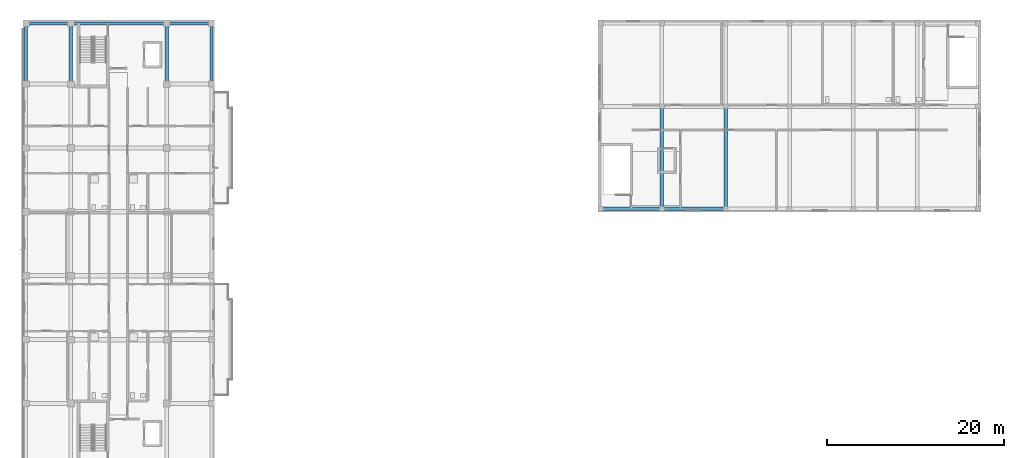
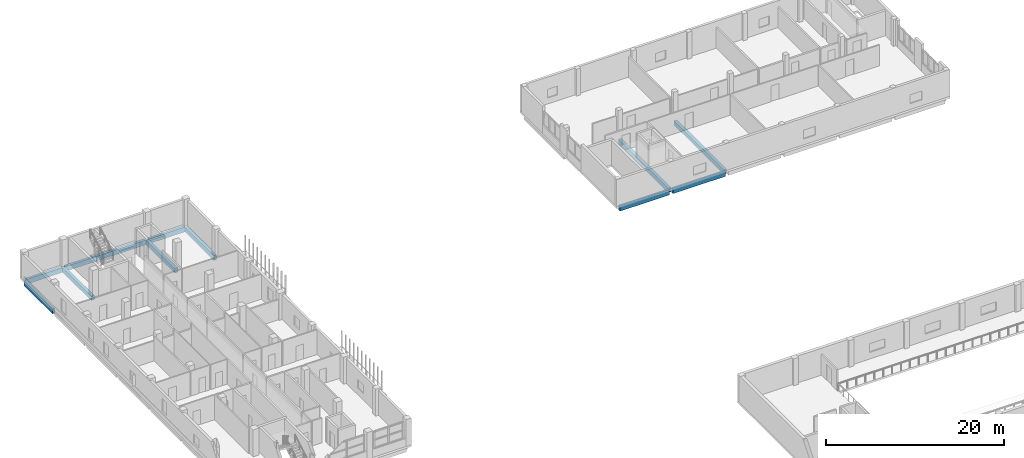
# One storey, part 19 of 73: 11 beams.
"""IFC4 building model written with IfcOpenShell, lengths in metres."""

from ifc_helpers import new_model, si_unit, derived_unit, direction, frame, origin, origin_2d, place, context, subcontext, project, spatial, rectangle, extrude, material, material_profile, profile_set, type_object, element, save


model = new_model("IFC4")

# Units and contexts
model_context = context("Model", 3, precision=1e-05, world=origin(), true_north=direction((0.0, 1.0)))
body_context = subcontext(model_context, "Body", "Model", "MODEL_VIEW")
ifc_project = project(units=[si_unit("LENGTHUNIT", "METRE"), si_unit("AREAUNIT", "SQUARE_METRE"), si_unit("VOLUMEUNIT", "CUBIC_METRE"), si_unit("PLANEANGLEUNIT", "RADIAN"), si_unit("MASSUNIT", "GRAM", prefix="KILO"), derived_unit("THERMALTRANSMITTANCEUNIT", [(si_unit("MASSUNIT", "GRAM", prefix="KILO"), 1), (si_unit("TIMEUNIT", "SECOND"), -3), (si_unit("THERMODYNAMICTEMPERATUREUNIT", "KELVIN"), -1)])], contexts=[model_context])

# Site, building, storey
site_placement = place(None, origin())
site = spatial("IfcSite", under=ifc_project, at=site_placement, CompositionType="ELEMENT")
building_placement = place(site_placement, origin())
building = spatial("IfcBuilding", under=site, at=building_placement, Name="Ochrekiln Boulevard Commons", CompositionType="ELEMENT")
storey_placement = place(building_placement, frame((0.0, 0.0, 4.89990234375)))
storey = spatial("IfcBuildingStorey", under=building, at=storey_placement, Name="L01", CompositionType="ELEMENT", Elevation=4.89990234375)

# Beams
ifc_material_1 = material(Name="Concrete C35/45", Category="concrete")
ifc_material_profile_1 = material_profile(ifc_material_1, rectangle(XDim=0.39990234375, YDim=0.60009765625, at=origin_2d()), Name="RC-BM-400x600")
ifc_profile_set_1 = profile_set([ifc_material_profile_1], Name="Concrete C35/45")
beam_type_1 = type_object("IfcBeamType", Name="BM-RC-400x600", PredefinedType="BEAM", material=ifc_profile_set_1)
for number, where, z_axis, x_axis, name in (
    (1, (5.39990234375, 111.81005859375, -0.559814453125), (0.0, 1.0, 0.0), (-1.0, 0.0, 0.0), "Block A L01 Beam B-4060 Y36"),
    (2, (16.199951171875, 111.81005859375, -0.559814453125), (0.0, 1.0, 0.0), (-1.0, 0.0, 0.0), "Block A L01 Beam B-4060 Y43"),
):
    element("IfcBeam", number, at=place(storey_placement, frame(where, z_axis=z_axis, x_axis=x_axis)), inside=storey, type_object=beam_type_1, Name=name, PredefinedType="BEAM", context=body_context, shape_type="SweptSolid", body=[
        extrude(rectangle(XDim=0.39990234375, YDim=0.60009765625, at=origin_2d()), origin(), (0.0, 0.0, 1.0), 6.429931640625),
    ])
for number, where, z_axis, x_axis, name in (
    (3, (72.0, 97.760009765625, -0.56982421875), (0.0, 1.0, 0.0), (-1.0, 0.0, 0.0), "Nursery Pavilion L01 Beam B-4060 Y20"),
    (4, (79.199951171875, 97.760009765625, -0.56982421875), (0.0, 1.0, 0.0), (-1.0, 0.0, 0.0), "Nursery Pavilion L01 Beam B-4060 Y22"),
):
    element("IfcBeam", number, at=place(storey_placement, frame(where, z_axis=z_axis, x_axis=x_axis)), inside=storey, type_object=beam_type_1, Name=name, PredefinedType="BEAM", context=body_context, shape_type="SweptSolid", body=[
        extrude(rectangle(XDim=0.39990234375, YDim=0.60009765625, at=origin_2d()), origin(), (0.0, 0.0, 1.0), 11.1298828125),
    ])
ifc_material_2 = material(Name="Concrete C40/50", Category="concrete")
ifc_material_profile_2 = material_profile(ifc_material_2, rectangle(XDim=0.35009765625, YDim=0.64990234375, at=origin_2d()), Name="RC-SPN-350x650")
ifc_profile_set_2 = profile_set([ifc_material_profile_2], Name="Concrete C40/50")
beam_type_2 = type_object("IfcBeamType", Name="SPN-RC-350x650", PredefinedType="SPANDREL", material=ifc_profile_set_2)
beam_1_placement = place(storey_placement, frame((0.56005859375, 118.449951171875, -0.5849609375), z_axis=(1.0, 0.0, 0.0), x_axis=(0.0, 1.0, 0.0)))
element("IfcBeam", 5, at=beam_1_placement, inside=storey, type_object=beam_type_2, Name="Block A L01 Beam SP-3565 X20", PredefinedType="SPANDREL", context=body_context, shape_type="SweptSolid", body=[
    extrude(rectangle(XDim=0.35009765625, YDim=0.64990234375, at=origin_2d()), origin(), (0.0, 0.0, 1.0), 4.6298828125),
])
beam_2_placement = place(storey_placement, frame((5.610107421875, 118.449951171875, -0.5849609375), z_axis=(1.0, 0.0, 0.0), x_axis=(0.0, 1.0, 0.0)))
element("IfcBeam", 6, at=beam_2_placement, inside=storey, type_object=beam_type_2, Name="Block A L01 Beam SP-3565 X21", PredefinedType="SPANDREL", context=body_context, shape_type="SweptSolid", body=[
    extrude(rectangle(XDim=0.35009765625, YDim=0.64990234375, at=origin_2d()), origin(), (0.0, 0.0, 1.0), 10.3798828125),
])
beam_3_placement = place(storey_placement, frame((16.409912109375, 118.449951171875, -0.5849609375), z_axis=(1.0, 0.0, 0.0), x_axis=(0.0, 1.0, 0.0)))
element("IfcBeam", 7, at=beam_3_placement, inside=storey, type_object=beam_type_2, Name="Block A L01 Beam SP-3565 X22", PredefinedType="SPANDREL", context=body_context, shape_type="SweptSolid", body=[
    extrude(rectangle(XDim=0.35009765625, YDim=0.64990234375, at=origin_2d()), origin(), (0.0, 0.0, 1.0), 4.630126953125),
])
for number, where, z_axis, x_axis, name in (
    (8, (0.35009765625, 111.81005859375, -0.5849609375), (0.0, 1.0, 0.0), (-1.0, 0.0, 0.0), "Block A L01 Beam SP-3565 Y29"),
    (9, (21.25, 111.81005859375, -0.5849609375), (0.0, 1.0, 0.0), (-1.0, 0.0, 0.0), "Block A L01 Beam SP-3565 Y50"),
    (10, (65.360107421875, 97.550048828125, -0.594970703125), (1.0, 0.0, 0.0), (0.0, 1.0, 0.0), "Nursery Pavilion L01 Beam SP-3565 X1"),
):
    element("IfcBeam", number, at=place(storey_placement, frame(where, z_axis=z_axis, x_axis=x_axis)), inside=storey, type_object=beam_type_2, Name=name, PredefinedType="SPANDREL", context=body_context, shape_type="SweptSolid", body=[
        extrude(rectangle(XDim=0.35009765625, YDim=0.64990234375, at=origin_2d()), origin(), (0.0, 0.0, 1.0), 6.429931640625),
    ])
beam_4_placement = place(storey_placement, frame((72.2099609375, 97.550048828125, -0.594970703125), z_axis=(1.0, 0.0, 0.0), x_axis=(0.0, 1.0, 0.0)))
element("IfcBeam", 11, at=beam_4_placement, inside=storey, type_object=beam_type_2, Name="Nursery Pavilion L01 Beam SP-3565 X2", PredefinedType="SPANDREL", context=body_context, shape_type="SweptSolid", body=[
    extrude(rectangle(XDim=0.35009765625, YDim=0.64990234375, at=origin_2d()), origin(), (0.0, 0.0, 1.0), 6.780029296875),
])

save(model, "model.ifc")
